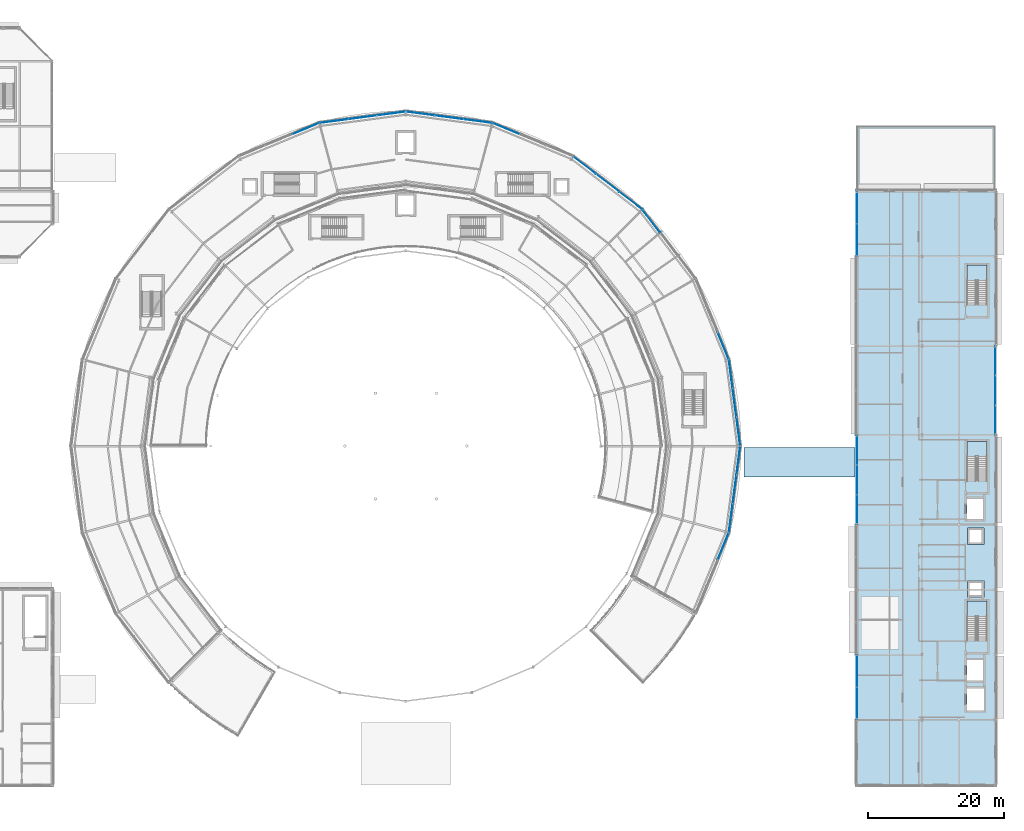
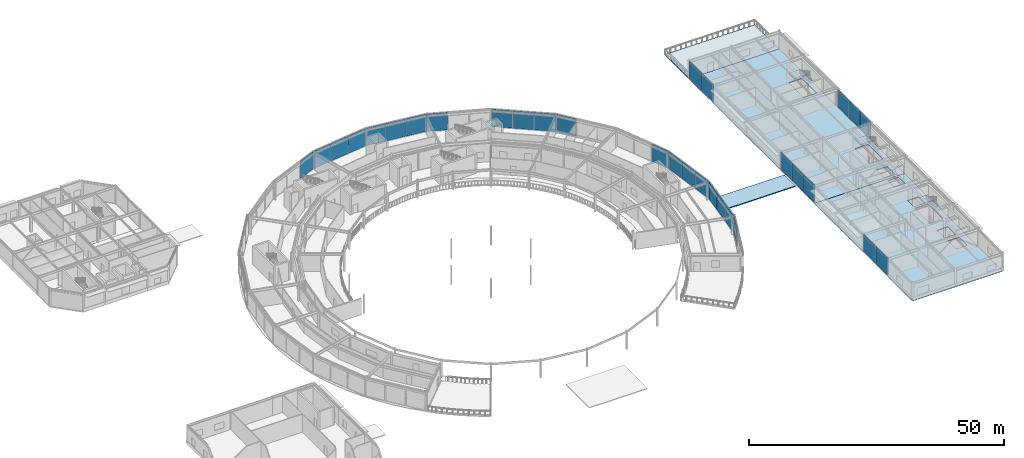
# One storey, part 97 of 133: 30 plates, 7 slabs, 17 elements without a shape of their own.
"""IFC4 building model written with IfcOpenShell, lengths in metres."""

from ifc_helpers import new_model, si_unit, direction, frame, origin, origin_2d, place, context, subcontext, project, spatial, polyline, rectangle, outline, extrude, material, layer, layer_set, type_object, element, aggregate, save


model = new_model("IFC4")

# Units and contexts
model_context = context("Model", 3, precision=1e-05, world=origin(), true_north=direction((0.0, 1.0)))
body_context = subcontext(model_context, "Body", "Model", "MODEL_VIEW")
ifc_project = project(units=[si_unit("LENGTHUNIT", "METRE"), si_unit("AREAUNIT", "SQUARE_METRE"), si_unit("VOLUMEUNIT", "CUBIC_METRE"), si_unit("PLANEANGLEUNIT", "RADIAN"), si_unit("MASSUNIT", "GRAM", prefix="KILO")], contexts=[model_context])

# Site, building, storey
site_placement = place(None, origin())
site = spatial("IfcSite", under=ifc_project, at=site_placement, CompositionType="ELEMENT")
building_placement = place(site_placement, origin())
building = spatial("IfcBuilding", under=site, at=building_placement, Name="Almandine Court Research Institute", CompositionType="ELEMENT")
storey_placement = place(building_placement, frame((0.0, 0.0, 9.800048828125)))
storey = spatial("IfcBuildingStorey", under=building, at=storey_placement, Name="L02", CompositionType="ELEMENT", Elevation=9.800048828125)

# Curtain wall, plate
ifc_material_1 = material(Name="Unitised Curtain Wall Framing and Solar Glazing", Category="glass")
curtain_wall_type_1 = type_object("IfcCurtainWallType", Name="CW-CWG-20", PredefinedType="USERDEFINED", material=ifc_material_1)
curtain_wall_1_placement = place(storey_placement, origin())
curtain_wall_1 = element("IfcCurtainWall", 1, at=curtain_wall_1_placement, inside=storey, type_object=curtain_wall_type_1, Name="L02 Stacked-Ring Drum Outer Unitised Glazing 04", ObjectType="UNITISED GLAZING", PredefinedType="USERDEFINED")
ifc_material_2 = material(Name="Double-Glazed Low-E Argon Insulated Glass", Category="glass")
ifc_layer_1 = layer(ifc_material_2, 0.028076171875)
ifc_layer_set_1 = layer_set([ifc_layer_1], Name="Double-Glazed Low-E Argon Insulated Glass")
plate_type_1 = type_object("IfcPlateType", Name="CWPnl-GLZ-28", PredefinedType="CURTAIN_PANEL", material=ifc_layer_set_1)
plate_1_placement = place(storey_placement, frame((101.77587890625, 102.849853515625, 0.06005859375), z_axis=(0.0, 0.0, 1.0), x_axis=(0.923888124321, -0.382662689242, 0.0)))
plate_1 = element("IfcPlate", 2, at=plate_1_placement, type_object=plate_type_1, Name="CWG-20 panel 1.1", PredefinedType="CURTAIN_PANEL", context=body_context, shape_type="SweptSolid", body=[
    extrude(rectangle(XDim=4.20263671875, YDim=0.028076171875, at=origin_2d()), origin(), (0.0, 0.0, 1.0), 4.25),
])
aggregate(curtain_wall_1, [plate_1])

# Curtain wall, plates
curtain_wall_2_placement = place(storey_placement, origin())
curtain_wall_2 = element("IfcCurtainWall", 3, at=curtain_wall_2_placement, inside=storey, type_object=curtain_wall_type_1, Name="L02 Stacked-Ring Drum Outer Unitised Glazing 05", ObjectType="UNITISED GLAZING", PredefinedType="USERDEFINED")
plate_2_placement = place(storey_placement, frame((89.146728515625, 105.077880859375, 0.06005859375), z_axis=(0.0, 0.0, 1.0), x_axis=(0.991442926098, -0.130540891259, 0.0)))
plate_2 = element("IfcPlate", 4, at=plate_2_placement, type_object=plate_type_1, Name="CWG-20 panel 1.1", PredefinedType="CURTAIN_PANEL", context=body_context, shape_type="SweptSolid", body=[
    extrude(rectangle(XDim=4.202392578125, YDim=0.028076171875, at=origin_2d()), origin(), (0.0, 0.0, 1.0), 4.25),
])
plate_3_placement = place(storey_placement, frame((93.387451171875, 104.51953125, 0.06005859375), z_axis=(0.0, 0.0, 1.0), x_axis=(0.991442926098, -0.130540891259, 0.0)))
plate_3 = element("IfcPlate", 5, at=plate_3_placement, type_object=plate_type_1, Name="CWG-20 panel 2.1", PredefinedType="CURTAIN_PANEL", context=body_context, shape_type="SweptSolid", body=[
    extrude(rectangle(XDim=4.232421875, YDim=0.028076171875, at=origin_2d()), origin(), (0.0, 0.0, 1.0), 4.25),
])
plate_4_placement = place(storey_placement, frame((97.628173828125, 103.961181640625, 0.06005859375), z_axis=(0.0, 0.0, 1.0), x_axis=(0.991442926098, -0.130540891259, 0.0)))
plate_4 = element("IfcPlate", 6, at=plate_4_placement, type_object=plate_type_1, Name="CWG-20 panel 3.1", PredefinedType="CURTAIN_PANEL", context=body_context, shape_type="SweptSolid", body=[
    extrude(rectangle(XDim=4.202392578125, YDim=0.028076171875, at=origin_2d()), origin(), (0.0, 0.0, 1.0), 4.25),
])
aggregate(curtain_wall_2, [plate_2, plate_3, plate_4])

curtain_wall_3_placement = place(storey_placement, origin())
curtain_wall_3 = element("IfcCurtainWall", 7, at=curtain_wall_3_placement, inside=storey, type_object=curtain_wall_type_1, Name="L02 Stacked-Ring Drum Outer Unitised Glazing 06", ObjectType="UNITISED GLAZING", PredefinedType="USERDEFINED")
plate_5_placement = place(storey_placement, frame((76.371826171875, 103.961181640625, 0.06005859375), z_axis=(0.0, 0.0, 1.0), x_axis=(0.991442926098, 0.130540891259, 0.0)))
plate_5 = element("IfcPlate", 8, at=plate_5_placement, type_object=plate_type_1, Name="CWG-20 panel 1.1", PredefinedType="CURTAIN_PANEL", context=body_context, shape_type="SweptSolid", body=[
    extrude(rectangle(XDim=4.202392578125, YDim=0.028076171875, at=origin_2d()), origin(), (0.0, 0.0, 1.0), 4.25),
])
plate_6_placement = place(storey_placement, frame((80.612548828125, 104.51953125, 0.06005859375), z_axis=(0.0, 0.0, 1.0), x_axis=(0.991442926098, 0.130540891259, 0.0)))
plate_6 = element("IfcPlate", 9, at=plate_6_placement, type_object=plate_type_1, Name="CWG-20 panel 2.1", PredefinedType="CURTAIN_PANEL", context=body_context, shape_type="SweptSolid", body=[
    extrude(rectangle(XDim=4.232421875, YDim=0.028076171875, at=origin_2d()), origin(), (0.0, 0.0, 1.0), 4.25),
])
plate_7_placement = place(storey_placement, frame((84.853271484375, 105.077880859375, 0.06005859375), z_axis=(0.0, 0.0, 1.0), x_axis=(0.991442926098, 0.130540891259, 0.0)))
plate_7 = element("IfcPlate", 10, at=plate_7_placement, type_object=plate_type_1, Name="CWG-20 panel 3.1", PredefinedType="CURTAIN_PANEL", context=body_context, shape_type="SweptSolid", body=[
    extrude(rectangle(XDim=4.202392578125, YDim=0.028076171875, at=origin_2d()), origin(), (0.0, 0.0, 1.0), 4.25),
])
aggregate(curtain_wall_3, [plate_5, plate_6, plate_7])

# Curtain wall, plate
curtain_wall_4_placement = place(storey_placement, origin())
curtain_wall_4 = element("IfcCurtainWall", 11, at=curtain_wall_4_placement, inside=storey, type_object=curtain_wall_type_1, Name="L02 Stacked-Ring Drum Outer Unitised Glazing 07", ObjectType="UNITISED GLAZING", PredefinedType="USERDEFINED")
plate_8_placement = place(storey_placement, frame((72.22412109375, 102.849853515625, 0.06005859375), z_axis=(0.0, 0.0, 1.0), x_axis=(0.923888124321, 0.382662689242, 0.0)))
plate_8 = element("IfcPlate", 12, at=plate_8_placement, type_object=plate_type_1, Name="CWG-20 panel 3.1", PredefinedType="CURTAIN_PANEL", context=body_context, shape_type="SweptSolid", body=[
    extrude(rectangle(XDim=4.20263671875, YDim=0.028076171875, at=origin_2d()), origin(), (0.0, 0.0, 1.0), 4.25),
])
aggregate(curtain_wall_4, [plate_8])

# Curtain wall, plates
curtain_wall_type_2 = type_object("IfcCurtainWallType", Name="CW-CWJ-02", PredefinedType="USERDEFINED", material=ifc_material_1)
curtain_wall_5_placement = place(storey_placement, origin())
curtain_wall_5 = element("IfcCurtainWall", 13, at=curtain_wall_5_placement, inside=storey, type_object=curtain_wall_type_2, Name="L02 Wet Lab West Courtyard Jali Curtain Wall 2", ObjectType="SOLAR JALI SCREEN", PredefinedType="USERDEFINED")
ifc_material_3 = material(Name="Perforated Ochre Terracotta Jali Solar Cassette", Category="masonry")
ifc_layer_2 = layer(ifc_material_3, 0.035888671875)
ifc_layer_set_2 = layer_set([ifc_layer_2], Name="Perforated Ochre Terracotta Jali Solar Cassette")
plate_type_2 = type_object("IfcPlateType", Name="CWPnl-JALI-36", PredefinedType="CURTAIN_PANEL", material=ifc_layer_set_2)
plate_9_placement = place(storey_placement, frame((153.60009765625, 18.018310546875, 0.06494140625), z_axis=(0.0, 0.0, 1.0), x_axis=(0.0, 1.0, 0.0)))
plate_9 = element("IfcPlate", 14, at=plate_9_placement, type_object=plate_type_2, Name="CWJ-02 panel 1.1", PredefinedType="CURTAIN_PANEL", context=body_context, shape_type="SweptSolid", body=[
    extrude(rectangle(XDim=4.698486328125, YDim=0.035888671875, at=origin_2d()), origin(), (0.0, 0.0, 1.0), 4.239990234375),
])
plate_10_placement = place(storey_placement, frame((153.60009765625, 22.78173828125, 0.06494140625), z_axis=(0.0, 0.0, 1.0), x_axis=(0.0, 1.0, 0.0)))
plate_10 = element("IfcPlate", 15, at=plate_10_placement, type_object=plate_type_2, Name="CWJ-02 panel 2.1", PredefinedType="CURTAIN_PANEL", context=body_context, shape_type="SweptSolid", body=[
    extrude(rectangle(XDim=4.698486328125, YDim=0.035888671875, at=origin_2d()), origin(), (0.0, 0.0, 1.0), 4.239990234375),
])
aggregate(curtain_wall_5, [plate_9, plate_10])

curtain_wall_type_3 = type_object("IfcCurtainWallType", Name="CW-CWJ-15", PredefinedType="USERDEFINED", material=ifc_material_1)
curtain_wall_6_placement = place(storey_placement, origin())
curtain_wall_6 = element("IfcCurtainWall", 16, at=curtain_wall_6_placement, inside=storey, type_object=curtain_wall_type_3, Name="L02 Wet Lab West Courtyard Jali Curtain Wall 5", ObjectType="SOLAR JALI SCREEN", PredefinedType="USERDEFINED")
plate_11_placement = place(storey_placement, frame((153.60009765625, 46.618896484375, 0.06494140625), z_axis=(0.0, 0.0, 1.0), x_axis=(0.0, 1.0, 0.0)))
plate_11 = element("IfcPlate", 17, at=plate_11_placement, type_object=plate_type_2, Name="CWJ-15 panel 1.1", PredefinedType="CURTAIN_PANEL", context=body_context, shape_type="SweptSolid", body=[
    extrude(rectangle(XDim=4.2998046875, YDim=0.035888671875, at=origin_2d()), origin(), (0.0, 0.0, 1.0), 4.239990234375),
])
plate_12_placement = place(storey_placement, frame((153.60009765625, 51.0, 0.06494140625), z_axis=(0.0, 0.0, 1.0), x_axis=(0.0, 1.0, 0.0)))
plate_12 = element("IfcPlate", 18, at=plate_12_placement, type_object=plate_type_2, Name="CWJ-15 panel 2.1", PredefinedType="CURTAIN_PANEL", context=body_context, shape_type="SweptSolid", body=[
    extrude(rectangle(XDim=4.332275390625, YDim=0.035888671875, at=origin_2d()), origin(), (0.0, 0.0, 1.0), 4.239990234375),
])
plate_13_placement = place(storey_placement, frame((153.60009765625, 55.381103515625, 0.06494140625), z_axis=(0.0, 0.0, 1.0), x_axis=(0.0, 1.0, 0.0)))
plate_13 = element("IfcPlate", 19, at=plate_13_placement, type_object=plate_type_2, Name="CWJ-15 panel 3.1", PredefinedType="CURTAIN_PANEL", context=body_context, shape_type="SweptSolid", body=[
    extrude(rectangle(XDim=4.2998046875, YDim=0.035888671875, at=origin_2d()), origin(), (0.0, 0.0, 1.0), 4.239990234375),
])
aggregate(curtain_wall_6, [plate_11, plate_12, plate_13])

curtain_wall_7_placement = place(storey_placement, origin())
curtain_wall_7 = element("IfcCurtainWall", 20, at=curtain_wall_7_placement, inside=storey, type_object=curtain_wall_type_2, Name="L02 Wet Lab West Courtyard Jali Curtain Wall 8", ObjectType="SOLAR JALI SCREEN", PredefinedType="USERDEFINED")
plate_14_placement = place(storey_placement, frame((153.60009765625, 86.418212890625, 0.06494140625), z_axis=(0.0, 0.0, 1.0), x_axis=(0.0, 1.0, 0.0)))
plate_14 = element("IfcPlate", 21, at=plate_14_placement, type_object=plate_type_2, Name="CWJ-02 panel 1.1", PredefinedType="CURTAIN_PANEL", context=body_context, shape_type="SweptSolid", body=[
    extrude(rectangle(XDim=4.698486328125, YDim=0.035888671875, at=origin_2d()), origin(), (0.0, 0.0, 1.0), 4.239990234375),
])
plate_15_placement = place(storey_placement, frame((153.60009765625, 91.181640625, 0.06494140625), z_axis=(0.0, 0.0, 1.0), x_axis=(0.0, 1.0, 0.0)))
plate_15 = element("IfcPlate", 22, at=plate_15_placement, type_object=plate_type_2, Name="CWJ-02 panel 2.1", PredefinedType="CURTAIN_PANEL", context=body_context, shape_type="SweptSolid", body=[
    extrude(rectangle(XDim=4.698486328125, YDim=0.035888671875, at=origin_2d()), origin(), (0.0, 0.0, 1.0), 4.239990234375),
])
aggregate(curtain_wall_7, [plate_14, plate_15])

curtain_wall_8_placement = place(storey_placement, origin())
curtain_wall_8 = element("IfcCurtainWall", 23, at=curtain_wall_8_placement, inside=storey, type_object=curtain_wall_type_3, Name="L02 Wet Lab East Jali Curtain Wall 6", ObjectType="SOLAR JALI SCREEN", PredefinedType="USERDEFINED")
plate_16_placement = place(storey_placement, frame((174.0, 68.5810546875, 0.06494140625), z_axis=(0.0, 0.0, 1.0), x_axis=(0.0, -1.0, 0.0)))
plate_16 = element("IfcPlate", 24, at=plate_16_placement, type_object=plate_type_2, Name="CWJ-15 panel 1.1", PredefinedType="CURTAIN_PANEL", context=body_context, shape_type="SweptSolid", body=[
    extrude(rectangle(XDim=4.2998046875, YDim=0.035888671875, at=origin_2d()), origin(), (0.0, 0.0, 1.0), 4.239990234375),
])
plate_17_placement = place(storey_placement, frame((174.0, 64.199951171875, 0.06494140625), z_axis=(0.0, 0.0, 1.0), x_axis=(0.0, -1.0, 0.0)))
plate_17 = element("IfcPlate", 25, at=plate_17_placement, type_object=plate_type_2, Name="CWJ-15 panel 2.1", PredefinedType="CURTAIN_PANEL", context=body_context, shape_type="SweptSolid", body=[
    extrude(rectangle(XDim=4.332275390625, YDim=0.035888671875, at=origin_2d()), origin(), (0.0, 0.0, 1.0), 4.239990234375),
])
plate_18_placement = place(storey_placement, frame((174.0, 59.81884765625, 0.06494140625), z_axis=(0.0, 0.0, 1.0), x_axis=(0.0, -1.0, 0.0)))
plate_18 = element("IfcPlate", 26, at=plate_18_placement, type_object=plate_type_2, Name="CWJ-15 panel 3.1", PredefinedType="CURTAIN_PANEL", context=body_context, shape_type="SweptSolid", body=[
    extrude(rectangle(XDim=4.2998046875, YDim=0.035888671875, at=origin_2d()), origin(), (0.0, 0.0, 1.0), 4.239990234375),
])
aggregate(curtain_wall_8, [plate_16, plate_17, plate_18])

# Curtain wall, plate
curtain_wall_type_4 = type_object("IfcCurtainWallType", Name="CW-CWJ-19", PredefinedType="USERDEFINED", material=ifc_material_1)
curtain_wall_9_placement = place(storey_placement, origin())
curtain_wall_9 = element("IfcCurtainWall", 27, at=curtain_wall_9_placement, inside=storey, type_object=curtain_wall_type_4, Name="L02 Stacked-Ring Drum Outer Solar Jali Screen 22", ObjectType="SOLAR JALI SCREEN", PredefinedType="USERDEFINED")
plate_19_placement = place(storey_placement, frame((133.849365234375, 41.222900390625, 0.06494140625), z_axis=(0.0, 0.0, 1.0), x_axis=(-0.382662689242, -0.923888124321, 0.0)))
plate_19 = element("IfcPlate", 28, at=plate_19_placement, type_object=plate_type_2, Name="CWJ-19 panel 1.1", PredefinedType="CURTAIN_PANEL", context=body_context, shape_type="SweptSolid", body=[
    extrude(rectangle(XDim=4.1953125, YDim=0.035888671875, at=origin_2d()), origin(), (0.0, 0.0, 1.0), 4.239990234375),
])
aggregate(curtain_wall_9, [plate_19])

# Curtain wall, plates
curtain_wall_10_placement = place(storey_placement, origin())
curtain_wall_10 = element("IfcCurtainWall", 29, at=curtain_wall_10_placement, inside=storey, type_object=curtain_wall_type_4, Name="L02 Stacked-Ring Drum Outer Solar Jali Screen 23", ObjectType="SOLAR JALI SCREEN", PredefinedType="USERDEFINED")
plate_20_placement = place(storey_placement, frame((136.07763671875, 53.85205078125, 0.06494140625), z_axis=(0.0, 0.0, 1.0), x_axis=(-0.130540891259, -0.991442926098, 0.0)))
plate_20 = element("IfcPlate", 30, at=plate_20_placement, type_object=plate_type_2, Name="CWJ-19 panel 1.1", PredefinedType="CURTAIN_PANEL", context=body_context, shape_type="SweptSolid", body=[
    extrude(rectangle(XDim=4.19482421875, YDim=0.035888671875, at=origin_2d()), origin(), (0.0, 0.0, 1.0), 4.239990234375),
])
plate_21_placement = place(storey_placement, frame((135.51953125, 49.612548828125, 0.06494140625), z_axis=(0.0, 0.0, 1.0), x_axis=(-0.130540891259, -0.991442926098, 0.0)))
plate_21 = element("IfcPlate", 31, at=plate_21_placement, type_object=plate_type_2, Name="CWJ-19 panel 2.1", PredefinedType="CURTAIN_PANEL", context=body_context, shape_type="SweptSolid", body=[
    extrude(rectangle(XDim=4.227294921875, YDim=0.035888671875, at=origin_2d()), origin(), (0.0, 0.0, 1.0), 4.239990234375),
])
plate_22_placement = place(storey_placement, frame((134.961181640625, 45.373046875, 0.06494140625), z_axis=(0.0, 0.0, 1.0), x_axis=(-0.130540891259, -0.991442926098, 0.0)))
plate_22 = element("IfcPlate", 32, at=plate_22_placement, type_object=plate_type_2, Name="CWJ-19 panel 3.1", PredefinedType="CURTAIN_PANEL", context=body_context, shape_type="SweptSolid", body=[
    extrude(rectangle(XDim=4.19482421875, YDim=0.035888671875, at=origin_2d()), origin(), (0.0, 0.0, 1.0), 4.239990234375),
])
aggregate(curtain_wall_10, [plate_20, plate_21, plate_22])

curtain_wall_11_placement = place(storey_placement, origin())
curtain_wall_11 = element("IfcCurtainWall", 33, at=curtain_wall_11_placement, inside=storey, type_object=curtain_wall_type_4, Name="L02 Stacked-Ring Drum Outer Solar Jali Screen 00", ObjectType="SOLAR JALI SCREEN", PredefinedType="USERDEFINED")
plate_23_placement = place(storey_placement, frame((134.961181640625, 66.626953125, 0.06494140625), z_axis=(0.0, 0.0, 1.0), x_axis=(0.130540891259, -0.991442926098, 0.0)))
plate_23 = element("IfcPlate", 34, at=plate_23_placement, type_object=plate_type_2, Name="CWJ-19 panel 1.1", PredefinedType="CURTAIN_PANEL", context=body_context, shape_type="SweptSolid", body=[
    extrude(rectangle(XDim=4.19482421875, YDim=0.035888671875, at=origin_2d()), origin(), (0.0, 0.0, 1.0), 4.239990234375),
])
plate_24_placement = place(storey_placement, frame((135.51953125, 62.387451171875, 0.06494140625), z_axis=(0.0, 0.0, 1.0), x_axis=(0.130540891259, -0.991442926098, 0.0)))
plate_24 = element("IfcPlate", 35, at=plate_24_placement, type_object=plate_type_2, Name="CWJ-19 panel 2.1", PredefinedType="CURTAIN_PANEL", context=body_context, shape_type="SweptSolid", body=[
    extrude(rectangle(XDim=4.227294921875, YDim=0.035888671875, at=origin_2d()), origin(), (0.0, 0.0, 1.0), 4.239990234375),
])
plate_25_placement = place(storey_placement, frame((136.07763671875, 58.14794921875, 0.06494140625), z_axis=(0.0, 0.0, 1.0), x_axis=(0.130540891259, -0.991442926098, 0.0)))
plate_25 = element("IfcPlate", 36, at=plate_25_placement, type_object=plate_type_2, Name="CWJ-19 panel 3.1", PredefinedType="CURTAIN_PANEL", context=body_context, shape_type="SweptSolid", body=[
    extrude(rectangle(XDim=4.19482421875, YDim=0.035888671875, at=origin_2d()), origin(), (0.0, 0.0, 1.0), 4.239990234375),
])
aggregate(curtain_wall_11, [plate_23, plate_24, plate_25])

# Curtain wall, plate
curtain_wall_12_placement = place(storey_placement, origin())
curtain_wall_12 = element("IfcCurtainWall", 37, at=curtain_wall_12_placement, inside=storey, type_object=curtain_wall_type_4, Name="L02 Stacked-Ring Drum Outer Solar Jali Screen 01", ObjectType="SOLAR JALI SCREEN", PredefinedType="USERDEFINED")
plate_26_placement = place(storey_placement, frame((133.849365234375, 70.777099609375, 0.06494140625), z_axis=(0.0, 0.0, 1.0), x_axis=(0.382662689242, -0.923888124321, 0.0)))
plate_26 = element("IfcPlate", 38, at=plate_26_placement, type_object=plate_type_2, Name="CWJ-19 panel 3.1", PredefinedType="CURTAIN_PANEL", context=body_context, shape_type="SweptSolid", body=[
    extrude(rectangle(XDim=4.1953125, YDim=0.035888671875, at=origin_2d()), origin(), (0.0, 0.0, 1.0), 4.239990234375),
])
aggregate(curtain_wall_12, [plate_26])

curtain_wall_13_placement = place(storey_placement, origin())
curtain_wall_13 = element("IfcCurtainWall", 39, at=curtain_wall_13_placement, inside=storey, type_object=curtain_wall_type_4, Name="L02 Stacked-Ring Drum Outer Solar Jali Screen 02", ObjectType="SOLAR JALI SCREEN", PredefinedType="USERDEFINED")
plate_27_placement = place(storey_placement, frame((123.222412109375, 89.184326171875, 0.06494140625), z_axis=(0.0, 0.0, 1.0), x_axis=(0.608723313303, -0.793382586046, 0.0)))
plate_27 = element("IfcPlate", 40, at=plate_27_placement, type_object=plate_type_2, Name="CWJ-19 panel 1.1", PredefinedType="CURTAIN_PANEL", context=body_context, shape_type="SweptSolid", body=[
    extrude(rectangle(XDim=4.195068359375, YDim=0.035888671875, at=origin_2d()), origin(), (0.0, 0.0, 1.0), 4.239990234375),
])
aggregate(curtain_wall_13, [plate_27])

# Curtain wall, plates
curtain_wall_14_placement = place(storey_placement, origin())
curtain_wall_14 = element("IfcCurtainWall", 41, at=curtain_wall_14_placement, inside=storey, type_object=curtain_wall_type_4, Name="L02 Stacked-Ring Drum Outer Solar Jali Screen 03", ObjectType="SOLAR JALI SCREEN", PredefinedType="USERDEFINED")
plate_28_placement = place(storey_placement, frame((113.398681640625, 97.4287109375, 0.06494140625), z_axis=(0.0, 0.0, 1.0), x_axis=(0.793382586046, -0.608723313303, 0.0)))
plate_28 = element("IfcPlate", 42, at=plate_28_placement, type_object=plate_type_2, Name="CWJ-19 panel 1.1", PredefinedType="CURTAIN_PANEL", context=body_context, shape_type="SweptSolid", body=[
    extrude(rectangle(XDim=4.195068359375, YDim=0.035888671875, at=origin_2d()), origin(), (0.0, 0.0, 1.0), 4.239990234375),
])
plate_29_placement = place(storey_placement, frame((116.79150390625, 94.825439453125, 0.06494140625), z_axis=(0.0, 0.0, 1.0), x_axis=(0.793382586046, -0.608723313303, 0.0)))
plate_29 = element("IfcPlate", 43, at=plate_29_placement, type_object=plate_type_2, Name="CWJ-19 panel 2.1", PredefinedType="CURTAIN_PANEL", context=body_context, shape_type="SweptSolid", body=[
    extrude(rectangle(XDim=4.2275390625, YDim=0.035888671875, at=origin_2d()), origin(), (0.0, 0.0, 1.0), 4.239990234375),
])
plate_30_placement = place(storey_placement, frame((120.184326171875, 92.222412109375, 0.06494140625), z_axis=(0.0, 0.0, 1.0), x_axis=(0.793382586046, -0.608723313303, 0.0)))
plate_30 = element("IfcPlate", 44, at=plate_30_placement, type_object=plate_type_2, Name="CWJ-19 panel 3.1", PredefinedType="CURTAIN_PANEL", context=body_context, shape_type="SweptSolid", body=[
    extrude(rectangle(XDim=4.195068359375, YDim=0.035888671875, at=origin_2d()), origin(), (0.0, 0.0, 1.0), 4.239990234375),
])
aggregate(curtain_wall_14, [plate_28, plate_29, plate_30])

# Slabs
ifc_material_4 = material(Name="Concrete C35/45", Category="concrete")
ifc_layer_3 = layer(ifc_material_4, 0.179931640625)
ifc_layer_set_3 = layer_set([ifc_layer_3], Name="Concrete C35/45")
slab_type_1 = type_object("IfcSlabType", Name="Slab-FLR-180", PredefinedType="FLOOR", material=ifc_layer_set_3)
slab_1_placement = place(storey_placement, frame((0.0, 0.0, -0.179931640625)))
element("IfcSlab", 45, at=slab_1_placement, inside=storey, type_object=slab_type_1, Name="L02 Volume 4 Wet Laboratory S Floor Slab", PredefinedType="FLOOR", context=body_context, shape_type="SweptSolid", body=[
    extrude(outline(polyline([(153.60009765625, 6.0), (174.0, 6.0), (174.0, 44.39990234375), (153.60009765625, 44.39990234375), (153.60009765625, 6.0)]), holes=[polyline([(172.800048828125, 27.25), (172.800048828125, 33.10009765625), (169.800048828125, 33.10009765625), (169.800048828125, 27.25), (172.800048828125, 27.25)]), polyline([(169.800048828125, 21.39990234375), (172.199951171875, 21.39990234375), (172.199951171875, 24.39990234375), (169.800048828125, 24.39990234375), (169.800048828125, 21.39990234375)]), polyline([(169.800048828125, 17.0), (172.300048828125, 17.0), (172.300048828125, 20.199951171875), (169.800048828125, 20.199951171875), (169.800048828125, 17.0)]), polyline([(169.8798828125, 33.679931640625), (172.320068359375, 33.679931640625), (172.320068359375, 36.1201171875), (169.8798828125, 36.1201171875), (169.8798828125, 33.679931640625)]), polyline([(169.8798828125, 41.47998046875), (172.320068359375, 41.47998046875), (172.320068359375, 43.919921875), (169.8798828125, 43.919921875), (169.8798828125, 41.47998046875)])]), origin(), (0.0, 0.0, 1.0), 0.179931640625),
])
slab_2_placement = place(storey_placement, frame((0.0, 0.0, -0.179931640625)))
element("IfcSlab", 46, at=slab_2_placement, inside=storey, type_object=slab_type_1, Name="L02 Volume 4 Wet Laboratory N Floor Slab", PredefinedType="FLOOR", context=body_context, shape_type="SweptSolid", body=[
    extrude(outline(polyline([(153.60009765625, 44.39990234375), (174.0, 44.39990234375), (174.0, 93.60009765625), (153.60009765625, 93.60009765625), (153.60009765625, 44.39990234375)]), holes=[polyline([(172.800048828125, 50.85009765625), (172.800048828125, 56.699951171875), (169.800048828125, 56.699951171875), (169.800048828125, 50.85009765625), (172.800048828125, 50.85009765625)]), polyline([(172.800048828125, 76.85009765625), (172.800048828125, 82.699951171875), (169.800048828125, 82.699951171875), (169.800048828125, 76.85009765625), (172.800048828125, 76.85009765625)]), polyline([(169.800048828125, 45.199951171875), (172.199951171875, 45.199951171875), (172.199951171875, 48.199951171875), (169.800048828125, 48.199951171875), (169.800048828125, 45.199951171875)])]), origin(), (0.0, 0.0, 1.0), 0.179931640625),
])

# Stair, slab
stair_type = type_object("IfcStairType", Name="Stair-Core-26R", PredefinedType="HALF_TURN_STAIR", material=ifc_material_4)
stair_1_placement = place(storey_placement, origin())
stair_1 = element("IfcStair", 47, at=stair_1_placement, inside=storey, type_object=stair_type, Name="L02 Wet Lab South High-Rise Core Stair", PredefinedType="HALF_TURN_STAIR")
ifc_layer_4 = layer(ifc_material_4, 0.179931640625)
ifc_layer_set_4 = layer_set([ifc_layer_4], Name="Concrete C35/45")
slab_type_2 = type_object("IfcSlabType", Name="Slab-Landing-180", PredefinedType="LANDING", material=ifc_layer_set_4)
slab_3_placement = place(storey_placement, frame((0.0, 0.0, 2.094970703125)))
slab_3 = element("IfcSlab", 48, at=slab_3_placement, type_object=slab_type_2, Name="ST-07 landing 1", PredefinedType="LANDING", context=body_context, shape_type="SweptSolid", body=[
    extrude(outline(polyline([(172.800048828125, 30.85009765625), (172.800048828125, 33.10009765625), (169.800048828125, 33.10009765625), (169.800048828125, 30.85009765625), (172.800048828125, 30.85009765625)])), origin(), (0.0, 0.0, 1.0), 0.179931640625),
])
aggregate(stair_1, [slab_3])

stair_2_placement = place(storey_placement, origin())
stair_2 = element("IfcStair", 49, at=stair_2_placement, inside=storey, type_object=stair_type, Name="L02 Wet Lab Central High-Rise Core Stair", PredefinedType="HALF_TURN_STAIR")
slab_4_placement = place(storey_placement, frame((0.0, 0.0, 2.094970703125)))
slab_4 = element("IfcSlab", 50, at=slab_4_placement, type_object=slab_type_2, Name="ST-08 landing 1", PredefinedType="LANDING", context=body_context, shape_type="SweptSolid", body=[
    extrude(outline(polyline([(172.800048828125, 54.449951171875), (172.800048828125, 56.699951171875), (169.800048828125, 56.699951171875), (169.800048828125, 54.449951171875), (172.800048828125, 54.449951171875)])), origin(), (0.0, 0.0, 1.0), 0.179931640625),
])
aggregate(stair_2, [slab_4])

stair_3_placement = place(storey_placement, origin())
stair_3 = element("IfcStair", 51, at=stair_3_placement, inside=storey, type_object=stair_type, Name="L02 Wet Lab North Exit Stair", PredefinedType="HALF_TURN_STAIR")
slab_5_placement = place(storey_placement, frame((0.0, 0.0, 2.094970703125)))
slab_5 = element("IfcSlab", 52, at=slab_5_placement, type_object=slab_type_2, Name="ST-13 landing 1", PredefinedType="LANDING", context=body_context, shape_type="SweptSolid", body=[
    extrude(outline(polyline([(172.800048828125, 80.449951171875), (172.800048828125, 82.699951171875), (169.800048828125, 82.699951171875), (169.800048828125, 80.449951171875), (172.800048828125, 80.449951171875)])), origin(), (0.0, 0.0, 1.0), 0.179931640625),
])
aggregate(stair_3, [slab_5])

# Slabs
ifc_layer_5 = layer(ifc_material_4, 0.199951171875)
ifc_layer_set_5 = layer_set([ifc_layer_5], Name="Concrete C35/45")
slab_type_3 = type_object("IfcSlabType", Name="Slab-RF-200", PredefinedType="ROOF", material=ifc_layer_set_5)
slab_6_placement = place(storey_placement, frame((0.0, 0.0, -0.199951171875)))
element("IfcSlab", 53, at=slab_6_placement, inside=storey, type_object=slab_type_3, Name="L02 East Charbagh Covered Dalan Passage Canopy Roof Slab", PredefinedType="ROOF", context=body_context, shape_type="SweptSolid", body=[
    extrude(outline(polyline([(136.89990234375, 51.39990234375), (153.300048828125, 51.39990234375), (153.300048828125, 55.800048828125), (136.89990234375, 55.800048828125), (136.89990234375, 51.39990234375)])), origin(), (0.0, 0.0, 1.0), 0.199951171875),
])
ifc_layer_6 = layer(ifc_material_4, 0.22509765625)
ifc_layer_set_6 = layer_set([ifc_layer_6], Name="Concrete C35/45")
slab_type_4 = type_object("IfcSlabType", Name="Slab-TER-225", PredefinedType="FLOOR", material=ifc_layer_set_6)
slab_7_placement = place(storey_placement, frame((0.0, 0.0, -0.22509765625)))
element("IfcSlab", 54, at=slab_7_placement, inside=storey, type_object=slab_type_4, Name="L02 Volume 4 Stepped Planted Roof Garden Slab", PredefinedType="FLOOR", context=body_context, shape_type="SweptSolid", body=[
    extrude(outline(polyline([(153.60009765625, 93.60009765625), (174.0, 93.60009765625), (174.0, 103.199951171875), (153.60009765625, 103.199951171875), (153.60009765625, 93.60009765625)])), origin(), (0.0, 0.0, 1.0), 0.22509765625),
])

save(model, "model.ifc")
